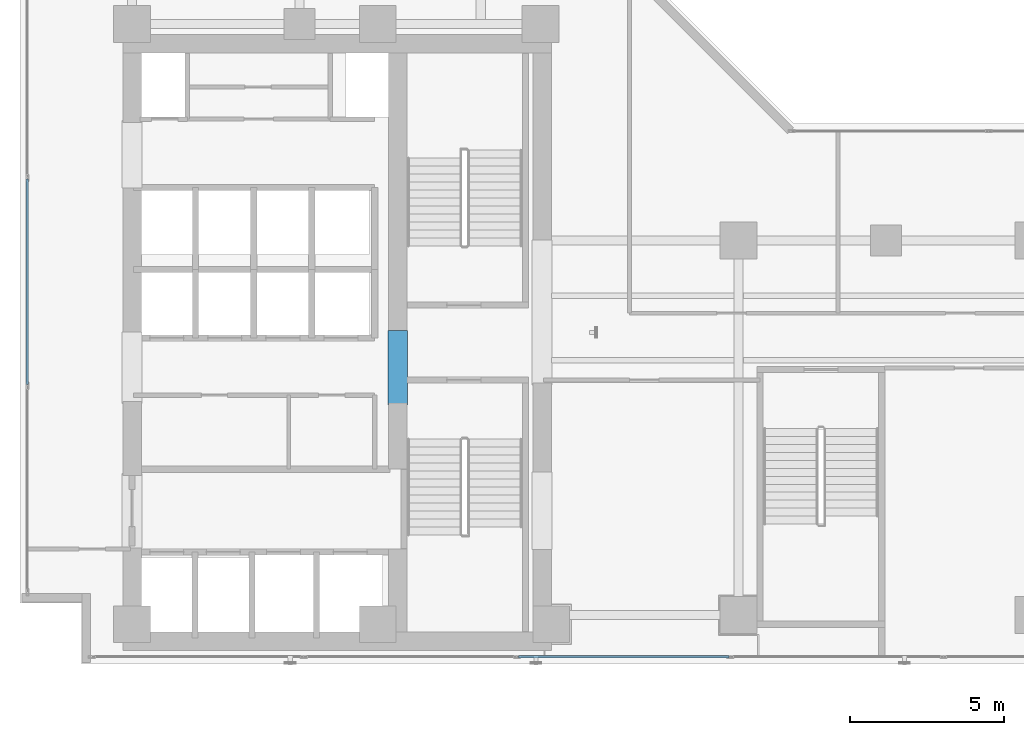
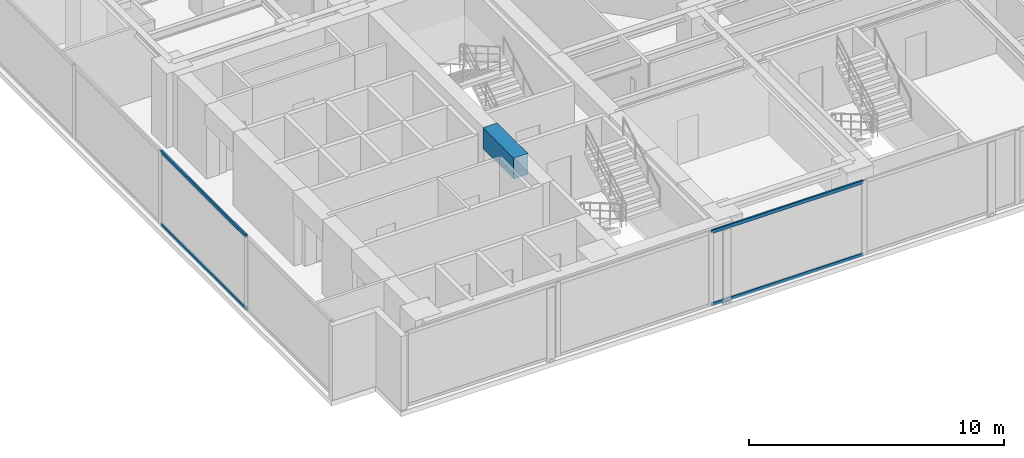
# One storey, part 3 of 26: 4 members, 1 beam, 2 elements without a shape of their own.
"""IFC4 building model written with IfcOpenShell, lengths in metres."""

import ifcopenshell
import ifcopenshell.guid

model = None  # the IFC model being written
_history = None  # IfcOwnerHistory: only IFC2X3 demands one
_inside = {}  # id of a spatial element -> (the spatial element, [elements in it])
_under = {}  # id of a project, library or spatial element -> (it, [spatial elements below it])
_declared = {}  # id of a project -> (the project, [libraries it declares])
_typed = {}  # id of a type object -> (the type object, [elements of that type])
_made_of = {}  # id of a material, layer set ... -> (it, [elements and type objects made of it])


def new_model(schema):
    """Start an empty IFC model of exactly this schema.

    Asked for "IFC4X3", IfcOpenShell would pick the latest addendum, in which some entities
    have other attributes; the version numbers below select the first issue.
    IFC2X3 requires an IfcOwnerHistory on every rooted entity: one is made here for all.
    """
    global model, _history
    if schema == "IFC4X3":
        model = ifcopenshell.file(schema_version=(4, 3, 0, 0))
    else:
        model = ifcopenshell.file(schema=schema)
    _inside.clear()
    _under.clear()
    _declared.clear()
    _typed.clear()
    _made_of.clear()
    _history = None
    if model.schema == "IFC2X3":
        org = make("IfcOrganization", Name="unknown")
        user = make(
            "IfcPersonAndOrganization",
            ThePerson=make("IfcPerson", FamilyName="unknown"),
            TheOrganization=org,
        )
        app = make(
            "IfcApplication",
            ApplicationDeveloper=org,
            Version="unknown",
            ApplicationFullName="unknown",
            ApplicationIdentifier="unknown",
        )
        _history = make(
            "IfcOwnerHistory",
            OwningUser=user,
            OwningApplication=app,
            ChangeAction="ADDED",
            CreationDate=0,
        )
    return model


def make(cls, **values):
    """One entity of the class cls with the attributes given. An attribute that is None is left unset."""
    return model.create_entity(
        cls, **{name: value for name, value in values.items() if value is not None}
    )


def rooted(cls, **values):
    """An entity with a GlobalId (a new one), such as an element, a storey or a relation."""
    return make(cls, GlobalId=ifcopenshell.guid.new(), OwnerHistory=_history, **values)


def si_unit(unit_type, name, prefix=None):
    """IfcSIUnit, for example si_unit("LENGTHUNIT", "METRE", prefix="MILLI")."""
    return make("IfcSIUnit", UnitType=unit_type, Prefix=prefix, Name=name)


def assignment(units):
    """IfcUnitAssignment: the units of a project."""
    return None if units is None else make("IfcUnitAssignment", Units=units)


def point(xyz):
    """IfcCartesianPoint."""
    return None if xyz is None else make("IfcCartesianPoint", Coordinates=xyz)


def direction(xyz):
    """IfcDirection."""
    return None if xyz is None else make("IfcDirection", DirectionRatios=xyz)


def frame(location, z_axis=None, x_axis=None):
    """IfcAxis2Placement3D, a coordinate frame: its origin and axes. An axis left out is left unset."""
    return make(
        "IfcAxis2Placement3D",
        Location=point(location),
        Axis=direction(z_axis),
        RefDirection=direction(x_axis),
    )


def frame_2d(location, x_axis=None):
    """IfcAxis2Placement2D, a coordinate frame in the plane: its origin and x axis."""
    return make(
        "IfcAxis2Placement2D", Location=point(location), RefDirection=direction(x_axis)
    )


def origin():
    """The frame at (0, 0, 0) with its axes left unset."""
    return frame((0.0, 0.0, 0.0))


def origin_with_axes():
    """The frame at (0, 0, 0) with the z axis (0, 0, 1) and the x axis (1, 0, 0) written out."""
    return frame((0.0, 0.0, 0.0), z_axis=(0.0, 0.0, 1.0), x_axis=(1.0, 0.0, 0.0))


def origin_2d():
    """The frame at (0, 0) in the plane with its x axis left unset."""
    return frame_2d((0.0, 0.0))


def place(relative_to, where):
    """IfcLocalPlacement: puts the frame where relative to a parent placement (None: the world)."""
    return make(
        "IfcLocalPlacement", PlacementRelTo=relative_to, RelativePlacement=where
    )


def context(
    kind, dimensions, precision=None, world=None, true_north=None, identifier=None
):
    """IfcGeometricRepresentationContext, for example the 3D "Model" context."""
    return make(
        "IfcGeometricRepresentationContext",
        ContextIdentifier=identifier,
        ContextType=kind,
        CoordinateSpaceDimension=dimensions,
        Precision=precision,
        WorldCoordinateSystem=world,
        TrueNorth=true_north,
    )


def subcontext(parent, identifier, kind, view, scale=None):
    """IfcGeometricRepresentationSubContext, for example "Body" below "Model"."""
    return make(
        "IfcGeometricRepresentationSubContext",
        ContextIdentifier=identifier,
        ContextType=kind,
        ParentContext=parent,
        TargetScale=scale,
        TargetView=view,
    )


def project(units=None, contexts=None):
    """IfcProject with its units and contexts."""
    return rooted(
        "IfcProject",
        Name="project",
        RepresentationContexts=contexts,
        UnitsInContext=assignment(units),
    )


def spatial(cls, under=None, at=None, **own):
    """A site, building, storey or space (cls), placed at a placement, below another one or the project."""
    s = rooted(cls, ObjectPlacement=at, **own)
    if under is not None:
        _under.setdefault(under.id(), (under, []))[1].append(s)
    return s


def profile(cls, at=None, kind="AREA", **sizes):
    """A parametric profile (cls). Its sizes go by their IFC names, for example OverallWidth=200.0."""
    return make(cls, ProfileType=kind, Position=at, **sizes)


def rectangle(**sizes):
    """IfcRectangleProfileDef."""
    return profile("IfcRectangleProfileDef", **sizes)


def hollow_rectangle(**sizes):
    """IfcRectangleHollowProfileDef."""
    return profile("IfcRectangleHollowProfileDef", **sizes)


def extrude(swept, where, along, depth):
    """IfcExtrudedAreaSolid: the profile swept, set in the frame where, extruded along a direction by depth."""
    return make(
        "IfcExtrudedAreaSolid",
        SweptArea=swept,
        Position=where,
        ExtrudedDirection=direction(along),
        Depth=depth,
    )


def shape(context_of_items, identifier, shape_type, items):
    """IfcShapeRepresentation: the items that make up one representation, for example the "Body"."""
    return make(
        "IfcShapeRepresentation",
        ContextOfItems=context_of_items,
        RepresentationIdentifier=identifier,
        RepresentationType=shape_type,
        Items=items,
    )


def source(mapping_origin, context_of_items, identifier, shape_type, items):
    """IfcRepresentationMap: a shape defined once, which mapped items show again and again."""
    return make(
        "IfcRepresentationMap",
        MappingOrigin=mapping_origin,
        MappedRepresentation=shape(context_of_items, identifier, shape_type, items),
    )


def transform(
    local_origin,
    x_axis=None,
    y_axis=None,
    z_axis=None,
    scale=None,
    scale2=None,
    scale3=None,
    uniform=True,
):
    """IfcCartesianTransformationOperator3D, or its non-uniform kind. x_axis, y_axis, z_axis: its Axis1, 2, 3."""
    if uniform:
        return make(
            "IfcCartesianTransformationOperator3D",
            Axis1=direction(x_axis),
            Axis2=direction(y_axis),
            LocalOrigin=point(local_origin),
            Scale=scale,
            Axis3=direction(z_axis),
        )
    return make(
        "IfcCartesianTransformationOperator3DnonUniform",
        Axis1=direction(x_axis),
        Axis2=direction(y_axis),
        LocalOrigin=point(local_origin),
        Scale=scale,
        Axis3=direction(z_axis),
        Scale2=scale2,
        Scale3=scale3,
    )


def mapped(mapping_source, mapping_target):
    """IfcMappedItem: shows the shape of a source again, moved by a transform."""
    return make(
        "IfcMappedItem", MappingSource=mapping_source, MappingTarget=mapping_target
    )


def material(Name=None, Category=None):
    """IfcMaterial."""
    return make("IfcMaterial", Name=Name, Category=Category)


def layer(
    of_material, thickness, ventilated=None, Name=None, Category=None, Priority=None
):
    """IfcMaterialLayer: one layer of a wall or slab, of a material (None: an air gap)."""
    return make(
        "IfcMaterialLayer",
        Material=of_material,
        LayerThickness=thickness,
        IsVentilated=ventilated,
        Name=Name,
        Category=Category,
        Priority=Priority,
    )


def layer_set(layers, Name=None):
    """IfcMaterialLayerSet."""
    return make("IfcMaterialLayerSet", MaterialLayers=layers, LayerSetName=Name)


def material_profile(
    of_material, cross_section, Name=None, Category=None, Priority=None
):
    """IfcMaterialProfile: a cross section and its material."""
    return make(
        "IfcMaterialProfile",
        Name=Name,
        Material=of_material,
        Profile=cross_section,
        Priority=Priority,
        Category=Category,
    )


def profile_set(profiles, Name=None, composite=None):
    """IfcMaterialProfileSet."""
    return make(
        "IfcMaterialProfileSet",
        Name=Name,
        MaterialProfiles=profiles,
        CompositeProfile=composite,
    )


def made_of(thing, what):
    """Note that an element or type object is made of a material, layer set ...; save() writes the relation."""
    if what is not None:
        _made_of.setdefault(what.id(), (what, []))[1].append(thing)
    return thing


def type_object(cls, material=None, **own):
    """A type object (cls), such as IfcWallType, which elements share."""
    return made_of(rooted(cls, **own), material)


def element(
    cls,
    number,
    at=None,
    inside=None,
    cuts=None,
    type_object=None,
    material=None,
    context=None,
    identifier="Body",
    shape_type=None,
    held_by="IfcProductDefinitionShape",
    body=None,
    shapes=None,
    **own,
):
    """One element of the class cls, such as IfcWall. Its Tag is "e" and its number.

    at: its placement. inside: the storey or other place that contains it. cuts: it is an
    opening in that element (IfcRelVoidsElement). A single representation is given by context,
    identifier, shape_type and body (its items); several are given by shapes. held_by: the class
    of the entity that holds the representations. save() writes the other relations.
    """
    e = rooted(cls, Tag="e%d" % number, ObjectPlacement=at, **own)
    if body is not None:
        shapes = [shape(context, identifier, shape_type, body)]
    if shapes is not None:
        e.Representation = make(held_by, Representations=shapes)
    if inside is not None:
        _inside.setdefault(inside.id(), (inside, []))[1].append(e)
    if cuts is not None:
        rooted(
            "IfcRelVoidsElement", RelatingBuildingElement=cuts, RelatedOpeningElement=e
        )
    if type_object is not None:
        _typed.setdefault(type_object.id(), (type_object, []))[1].append(e)
    return made_of(e, material)


def aggregate(whole, parts):
    """IfcRelAggregates: a whole, such as a stair, and the parts it consists of."""
    return rooted("IfcRelAggregates", RelatingObject=whole, RelatedObjects=parts)


def save(model, path):
    """Write the relations noted so far, then the file.

    IfcRelAggregates (storeys below a building ...), IfcRelContainedInSpatialStructure (elements
    in a storey), IfcRelDefinesByType, IfcRelAssociatesMaterial and IfcRelDeclares: one each for
    every whole, place, type object, material and project.
    """
    for whole, parts in _under.values():
        aggregate(whole, parts)
    for where, things in _inside.values():
        rooted(
            "IfcRelContainedInSpatialStructure",
            RelatedElements=things,
            RelatingStructure=where,
        )
    for kind, things in _typed.values():
        rooted("IfcRelDefinesByType", RelatedObjects=things, RelatingType=kind)
    for what, things in _made_of.values():
        rooted("IfcRelAssociatesMaterial", RelatedObjects=things, RelatingMaterial=what)
    for by, libraries in _declared.values():
        rooted("IfcRelDeclares", RelatingContext=by, RelatedDefinitions=libraries)
    model.write(path)


model = new_model("IFC4")

# Units and contexts
model_context = context("Model", 3, precision=1e-05, world=origin(), true_north=direction((0.0, 1.0)))
body_context = subcontext(model_context, "Body", "Model", "MODEL_VIEW")
ifc_project = project(units=[si_unit("LENGTHUNIT", "METRE"), si_unit("AREAUNIT", "SQUARE_METRE"), si_unit("VOLUMEUNIT", "CUBIC_METRE"), si_unit("PLANEANGLEUNIT", "RADIAN"), si_unit("MASSUNIT", "GRAM", prefix="KILO")], contexts=[model_context])

# Site, building, storey
site_placement = place(None, origin())
site = spatial("IfcSite", under=ifc_project, at=site_placement, CompositionType="ELEMENT")
building_placement = place(site_placement, origin())
building = spatial("IfcBuilding", under=site, at=building_placement, Name="Kolvaren Waterfront Exchange", CompositionType="ELEMENT")
storey_placement = place(building_placement, frame((0.0, 0.0, 180.39990234375)))
storey = spatial("IfcBuildingStorey", under=building, at=storey_placement, Name="L46", CompositionType="ELEMENT", Elevation=180.39990234375)

# Beam
ifc_material_1 = material(Name="Concrete C60/75", Category="concrete")
ifc_material_profile_1 = material_profile(ifc_material_1, rectangle(XDim=0.64990234375, YDim=1.0, at=origin_2d()), Name="RC-CB-1000x650")
ifc_profile_set_1 = profile_set([ifc_material_profile_1], Name="Concrete C60/75")
beam_type = type_object("IfcBeamType", Name="STR-CB-1000", PredefinedType="SPANDREL", material=ifc_profile_set_1)
beam_placement = place(storey_placement, frame((16.10009765625, 12.0400390625, 3.06005859375), z_axis=(0.0, 1.0, 0.0), x_axis=(-1.0, 0.0, 0.0)))
element("IfcBeam", 1, at=beam_placement, inside=storey, type_object=beam_type, Name="L46 core coupling beam 6", PredefinedType="SPANDREL", context=body_context, shape_type="SweptSolid", body=[
    extrude(rectangle(XDim=0.64990234375, YDim=1.0, at=origin_2d()), origin(), (0.0, 0.0, 1.0), 2.419921875),
])

# Curtain wall, members
ifc_material_2 = material(Name="Anodised bronze aluminium 6063-T6", Category="aluminium")
ifc_layer_1 = layer(ifc_material_2, 0.219970703125, Name="Anodised bronze aluminium 6063-T6")
ifc_layer_set_1 = layer_set([ifc_layer_1], Name="Anodised bronze aluminium 6063-T6")
curtain_wall_type_1 = type_object("IfcCurtainWallType", Name="ARC-CW-SYS1", PredefinedType="USERDEFINED", material=ifc_layer_set_1)
curtain_wall_1_placement = place(storey_placement, origin())
curtain_wall_1 = element("IfcCurtainWall", 2, at=curtain_wall_1_placement, inside=storey, type_object=curtain_wall_type_1, Name="L46 stick curtain wall CW1 (CW-L46-S)", ObjectType="STICK CURTAIN WALL", PredefinedType="USERDEFINED")
ifc_material_3 = material(Name="Anodised aluminium 6063-T6", Category="aluminium")
ifc_material_profile_2 = material_profile(ifc_material_3, hollow_rectangle(XDim=0.074951171875, YDim=0.159912109375, WallThickness=0.00439453125, at=origin_2d()), Name="ALU-TRN-160x75x4.5")
ifc_profile_set_2 = profile_set([ifc_material_profile_2], Name="Anodised aluminium 6063-T6")
member_type = type_object("IfcMemberType", Name="ARC-CWT-160", PredefinedType="USERDEFINED", material=ifc_profile_set_2)
shared_shape_1 = source(origin_with_axes(), body_context, "Body", "SweptSolid", [
    extrude(hollow_rectangle(XDim=0.074951171875, YDim=0.159912109375, WallThickness=0.00439453125, at=origin_2d()), origin(), (0.0, 0.0, 1.0), 6.863037109375),
])
member_1_placement = place(storey_placement, frame((20.025634765625, 3.840087890625, 0.03759765625), z_axis=(1.0, 0.0, 0.0), x_axis=(0.0, 1.0, 0.0)))
member_1 = element("IfcMember", 3, at=member_1_placement, type_object=member_type, Name="CW1 transom 3.1", ObjectType="TRANSOM", PredefinedType="USERDEFINED", context=body_context, shape_type="MappedRepresentation", body=[
    mapped(shared_shape_1, transform((0.0, 0.0, 0.0), x_axis=(1.0, 0.0, 0.0), y_axis=(0.0, 1.0, 0.0), z_axis=(0.0, 0.0, 1.0), scale=1.0)),
])
member_2_placement = place(storey_placement, frame((20.025634765625, 3.840087890625, 3.522705078125), z_axis=(1.0, 0.0, 0.0), x_axis=(0.0, 1.0, 0.0)))
member_2 = element("IfcMember", 4, at=member_2_placement, type_object=member_type, Name="CW1 transom 3.2", ObjectType="TRANSOM", PredefinedType="USERDEFINED", context=body_context, shape_type="MappedRepresentation", body=[
    mapped(shared_shape_1, transform((0.0, 0.0, 0.0), x_axis=(1.0, 0.0, 0.0), y_axis=(0.0, 1.0, 0.0), z_axis=(0.0, 0.0, 1.0), scale=1.0)),
])
aggregate(curtain_wall_1, [member_1, member_2])

ifc_layer_2 = layer(ifc_material_3, 0.219970703125, Name="Anodised aluminium 6063-T6")
ifc_layer_set_2 = layer_set([ifc_layer_2], Name="Anodised aluminium 6063-T6")
curtain_wall_type_2 = type_object("IfcCurtainWallType", Name="ARC-CW-SYS2", PredefinedType="USERDEFINED", material=ifc_layer_set_2)
curtain_wall_2_placement = place(storey_placement, origin())
curtain_wall_2 = element("IfcCurtainWall", 5, at=curtain_wall_2_placement, inside=storey, type_object=curtain_wall_type_2, Name="L46 stick curtain wall CW2 (CW-L46-W)", ObjectType="STICK CURTAIN WALL", PredefinedType="USERDEFINED")
shared_shape_2 = source(origin_with_axes(), body_context, "Body", "SweptSolid", [
    extrude(hollow_rectangle(XDim=0.074951171875, YDim=0.159912109375, WallThickness=0.00439453125, at=origin_2d()), origin(), (0.0, 0.0, 1.0), 6.6865234375),
])
member_3_placement = place(storey_placement, frame((4.0400390625, 12.706787109375, 0.03759765625), z_axis=(0.0, 1.0, 0.0), x_axis=(-1.0, 0.0, 0.0)))
member_3 = element("IfcMember", 6, at=member_3_placement, type_object=member_type, Name="CW2 transom 2.1", ObjectType="TRANSOM", PredefinedType="USERDEFINED", context=body_context, shape_type="MappedRepresentation", body=[
    mapped(shared_shape_2, transform((0.0, 0.0, 0.0), x_axis=(1.0, 0.0, 0.0), y_axis=(0.0, 1.0, 0.0), z_axis=(0.0, 0.0, 1.0), scale=1.0)),
])
member_4_placement = place(storey_placement, frame((4.0400390625, 12.706787109375, 3.522705078125), z_axis=(0.0, 1.0, 0.0), x_axis=(-1.0, 0.0, 0.0)))
member_4 = element("IfcMember", 7, at=member_4_placement, type_object=member_type, Name="CW2 transom 2.2", ObjectType="TRANSOM", PredefinedType="USERDEFINED", context=body_context, shape_type="MappedRepresentation", body=[
    mapped(shared_shape_2, transform((0.0, 0.0, 0.0), x_axis=(1.0, 0.0, 0.0), y_axis=(0.0, 1.0, 0.0), z_axis=(0.0, 0.0, 1.0), scale=1.0)),
])
aggregate(curtain_wall_2, [member_3, member_4])

save(model, "model.ifc")
